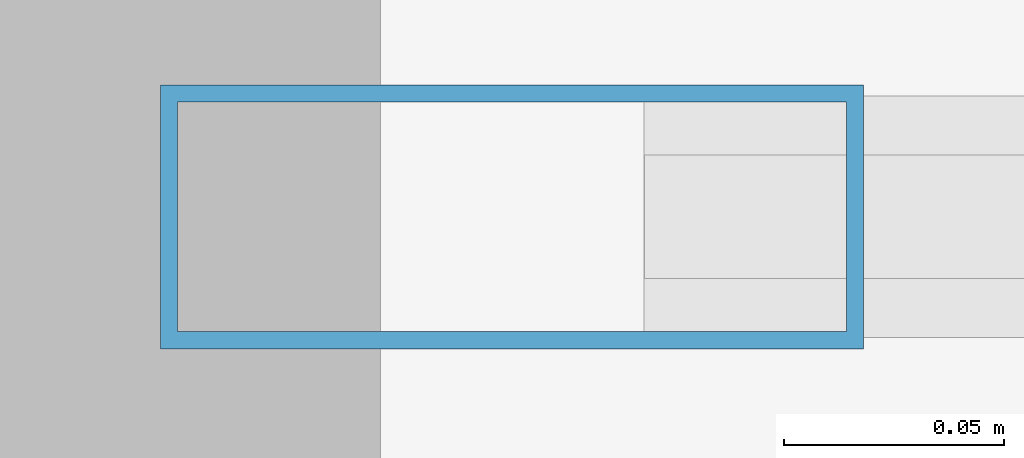
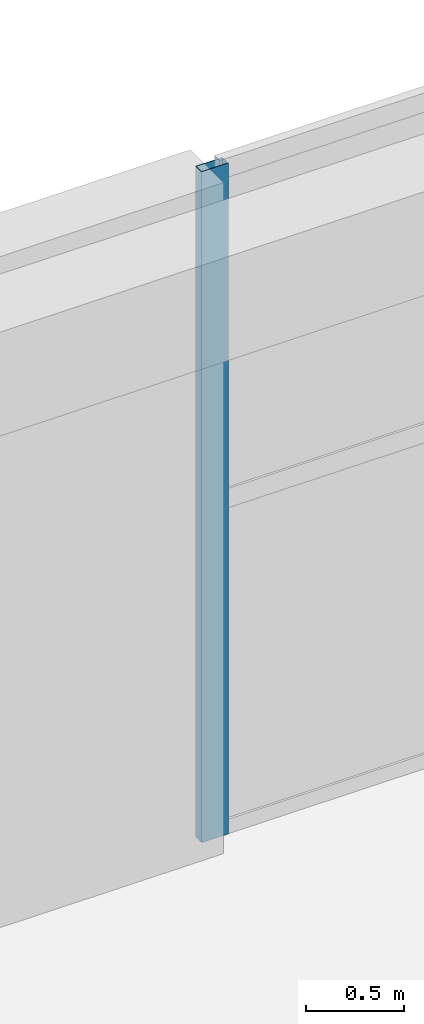
# One storey, part 14 of 26: 1 member, 1 element without a shape of its own.
"""IFC4 building model written with IfcOpenShell, lengths in metres."""

import ifcopenshell
import ifcopenshell.guid

model = None  # the IFC model being written
_history = None  # IfcOwnerHistory: only IFC2X3 demands one
_inside = {}  # id of a spatial element -> (the spatial element, [elements in it])
_under = {}  # id of a project, library or spatial element -> (it, [spatial elements below it])
_declared = {}  # id of a project -> (the project, [libraries it declares])
_typed = {}  # id of a type object -> (the type object, [elements of that type])
_made_of = {}  # id of a material, layer set ... -> (it, [elements and type objects made of it])


def new_model(schema):
    """Start an empty IFC model of exactly this schema.

    Asked for "IFC4X3", IfcOpenShell would pick the latest addendum, in which some entities
    have other attributes; the version numbers below select the first issue.
    IFC2X3 requires an IfcOwnerHistory on every rooted entity: one is made here for all.
    """
    global model, _history
    if schema == "IFC4X3":
        model = ifcopenshell.file(schema_version=(4, 3, 0, 0))
    else:
        model = ifcopenshell.file(schema=schema)
    _inside.clear()
    _under.clear()
    _declared.clear()
    _typed.clear()
    _made_of.clear()
    _history = None
    if model.schema == "IFC2X3":
        org = make("IfcOrganization", Name="unknown")
        user = make(
            "IfcPersonAndOrganization",
            ThePerson=make("IfcPerson", FamilyName="unknown"),
            TheOrganization=org,
        )
        app = make(
            "IfcApplication",
            ApplicationDeveloper=org,
            Version="unknown",
            ApplicationFullName="unknown",
            ApplicationIdentifier="unknown",
        )
        _history = make(
            "IfcOwnerHistory",
            OwningUser=user,
            OwningApplication=app,
            ChangeAction="ADDED",
            CreationDate=0,
        )
    return model


def make(cls, **values):
    """One entity of the class cls with the attributes given. An attribute that is None is left unset."""
    return model.create_entity(
        cls, **{name: value for name, value in values.items() if value is not None}
    )


def rooted(cls, **values):
    """An entity with a GlobalId (a new one), such as an element, a storey or a relation."""
    return make(cls, GlobalId=ifcopenshell.guid.new(), OwnerHistory=_history, **values)


def si_unit(unit_type, name, prefix=None):
    """IfcSIUnit, for example si_unit("LENGTHUNIT", "METRE", prefix="MILLI")."""
    return make("IfcSIUnit", UnitType=unit_type, Prefix=prefix, Name=name)


def assignment(units):
    """IfcUnitAssignment: the units of a project."""
    return None if units is None else make("IfcUnitAssignment", Units=units)


def point(xyz):
    """IfcCartesianPoint."""
    return None if xyz is None else make("IfcCartesianPoint", Coordinates=xyz)


def direction(xyz):
    """IfcDirection."""
    return None if xyz is None else make("IfcDirection", DirectionRatios=xyz)


def frame(location, z_axis=None, x_axis=None):
    """IfcAxis2Placement3D, a coordinate frame: its origin and axes. An axis left out is left unset."""
    return make(
        "IfcAxis2Placement3D",
        Location=point(location),
        Axis=direction(z_axis),
        RefDirection=direction(x_axis),
    )


def frame_2d(location, x_axis=None):
    """IfcAxis2Placement2D, a coordinate frame in the plane: its origin and x axis."""
    return make(
        "IfcAxis2Placement2D", Location=point(location), RefDirection=direction(x_axis)
    )


def origin():
    """The frame at (0, 0, 0) with its axes left unset."""
    return frame((0.0, 0.0, 0.0))


def origin_2d():
    """The frame at (0, 0) in the plane with its x axis left unset."""
    return frame_2d((0.0, 0.0))


def place(relative_to, where):
    """IfcLocalPlacement: puts the frame where relative to a parent placement (None: the world)."""
    return make(
        "IfcLocalPlacement", PlacementRelTo=relative_to, RelativePlacement=where
    )


def context(
    kind, dimensions, precision=None, world=None, true_north=None, identifier=None
):
    """IfcGeometricRepresentationContext, for example the 3D "Model" context."""
    return make(
        "IfcGeometricRepresentationContext",
        ContextIdentifier=identifier,
        ContextType=kind,
        CoordinateSpaceDimension=dimensions,
        Precision=precision,
        WorldCoordinateSystem=world,
        TrueNorth=true_north,
    )


def subcontext(parent, identifier, kind, view, scale=None):
    """IfcGeometricRepresentationSubContext, for example "Body" below "Model"."""
    return make(
        "IfcGeometricRepresentationSubContext",
        ContextIdentifier=identifier,
        ContextType=kind,
        ParentContext=parent,
        TargetScale=scale,
        TargetView=view,
    )


def project(units=None, contexts=None):
    """IfcProject with its units and contexts."""
    return rooted(
        "IfcProject",
        Name="project",
        RepresentationContexts=contexts,
        UnitsInContext=assignment(units),
    )


def spatial(cls, under=None, at=None, **own):
    """A site, building, storey or space (cls), placed at a placement, below another one or the project."""
    s = rooted(cls, ObjectPlacement=at, **own)
    if under is not None:
        _under.setdefault(under.id(), (under, []))[1].append(s)
    return s


def profile(cls, at=None, kind="AREA", **sizes):
    """A parametric profile (cls). Its sizes go by their IFC names, for example OverallWidth=200.0."""
    return make(cls, ProfileType=kind, Position=at, **sizes)


def hollow_rectangle(**sizes):
    """IfcRectangleHollowProfileDef."""
    return profile("IfcRectangleHollowProfileDef", **sizes)


def extrude(swept, where, along, depth):
    """IfcExtrudedAreaSolid: the profile swept, set in the frame where, extruded along a direction by depth."""
    return make(
        "IfcExtrudedAreaSolid",
        SweptArea=swept,
        Position=where,
        ExtrudedDirection=direction(along),
        Depth=depth,
    )


def shape(context_of_items, identifier, shape_type, items):
    """IfcShapeRepresentation: the items that make up one representation, for example the "Body"."""
    return make(
        "IfcShapeRepresentation",
        ContextOfItems=context_of_items,
        RepresentationIdentifier=identifier,
        RepresentationType=shape_type,
        Items=items,
    )


def source(mapping_origin, context_of_items, identifier, shape_type, items):
    """IfcRepresentationMap: a shape defined once, which mapped items show again and again."""
    return make(
        "IfcRepresentationMap",
        MappingOrigin=mapping_origin,
        MappedRepresentation=shape(context_of_items, identifier, shape_type, items),
    )


def transform(
    local_origin,
    x_axis=None,
    y_axis=None,
    z_axis=None,
    scale=None,
    scale2=None,
    scale3=None,
    uniform=True,
):
    """IfcCartesianTransformationOperator3D, or its non-uniform kind. x_axis, y_axis, z_axis: its Axis1, 2, 3."""
    if uniform:
        return make(
            "IfcCartesianTransformationOperator3D",
            Axis1=direction(x_axis),
            Axis2=direction(y_axis),
            LocalOrigin=point(local_origin),
            Scale=scale,
            Axis3=direction(z_axis),
        )
    return make(
        "IfcCartesianTransformationOperator3DnonUniform",
        Axis1=direction(x_axis),
        Axis2=direction(y_axis),
        LocalOrigin=point(local_origin),
        Scale=scale,
        Axis3=direction(z_axis),
        Scale2=scale2,
        Scale3=scale3,
    )


def mapped(mapping_source, mapping_target):
    """IfcMappedItem: shows the shape of a source again, moved by a transform."""
    return make(
        "IfcMappedItem", MappingSource=mapping_source, MappingTarget=mapping_target
    )


def material(Name=None, Category=None):
    """IfcMaterial."""
    return make("IfcMaterial", Name=Name, Category=Category)


def layer(
    of_material, thickness, ventilated=None, Name=None, Category=None, Priority=None
):
    """IfcMaterialLayer: one layer of a wall or slab, of a material (None: an air gap)."""
    return make(
        "IfcMaterialLayer",
        Material=of_material,
        LayerThickness=thickness,
        IsVentilated=ventilated,
        Name=Name,
        Category=Category,
        Priority=Priority,
    )


def layer_set(layers, Name=None):
    """IfcMaterialLayerSet."""
    return make("IfcMaterialLayerSet", MaterialLayers=layers, LayerSetName=Name)


def material_profile(
    of_material, cross_section, Name=None, Category=None, Priority=None
):
    """IfcMaterialProfile: a cross section and its material."""
    return make(
        "IfcMaterialProfile",
        Name=Name,
        Material=of_material,
        Profile=cross_section,
        Priority=Priority,
        Category=Category,
    )


def profile_set(profiles, Name=None, composite=None):
    """IfcMaterialProfileSet."""
    return make(
        "IfcMaterialProfileSet",
        Name=Name,
        MaterialProfiles=profiles,
        CompositeProfile=composite,
    )


def made_of(thing, what):
    """Note that an element or type object is made of a material, layer set ...; save() writes the relation."""
    if what is not None:
        _made_of.setdefault(what.id(), (what, []))[1].append(thing)
    return thing


def type_object(cls, material=None, **own):
    """A type object (cls), such as IfcWallType, which elements share."""
    return made_of(rooted(cls, **own), material)


def element(
    cls,
    number,
    at=None,
    inside=None,
    cuts=None,
    type_object=None,
    material=None,
    context=None,
    identifier="Body",
    shape_type=None,
    held_by="IfcProductDefinitionShape",
    body=None,
    shapes=None,
    **own,
):
    """One element of the class cls, such as IfcWall. Its Tag is "e" and its number.

    at: its placement. inside: the storey or other place that contains it. cuts: it is an
    opening in that element (IfcRelVoidsElement). A single representation is given by context,
    identifier, shape_type and body (its items); several are given by shapes. held_by: the class
    of the entity that holds the representations. save() writes the other relations.
    """
    e = rooted(cls, Tag="e%d" % number, ObjectPlacement=at, **own)
    if body is not None:
        shapes = [shape(context, identifier, shape_type, body)]
    if shapes is not None:
        e.Representation = make(held_by, Representations=shapes)
    if inside is not None:
        _inside.setdefault(inside.id(), (inside, []))[1].append(e)
    if cuts is not None:
        rooted(
            "IfcRelVoidsElement", RelatingBuildingElement=cuts, RelatedOpeningElement=e
        )
    if type_object is not None:
        _typed.setdefault(type_object.id(), (type_object, []))[1].append(e)
    return made_of(e, material)


def aggregate(whole, parts):
    """IfcRelAggregates: a whole, such as a stair, and the parts it consists of."""
    return rooted("IfcRelAggregates", RelatingObject=whole, RelatedObjects=parts)


def save(model, path):
    """Write the relations noted so far, then the file.

    IfcRelAggregates (storeys below a building ...), IfcRelContainedInSpatialStructure (elements
    in a storey), IfcRelDefinesByType, IfcRelAssociatesMaterial and IfcRelDeclares: one each for
    every whole, place, type object, material and project.
    """
    for whole, parts in _under.values():
        aggregate(whole, parts)
    for where, things in _inside.values():
        rooted(
            "IfcRelContainedInSpatialStructure",
            RelatedElements=things,
            RelatingStructure=where,
        )
    for kind, things in _typed.values():
        rooted("IfcRelDefinesByType", RelatedObjects=things, RelatingType=kind)
    for what, things in _made_of.values():
        rooted("IfcRelAssociatesMaterial", RelatedObjects=things, RelatingMaterial=what)
    for by, libraries in _declared.values():
        rooted("IfcRelDeclares", RelatingContext=by, RelatedDefinitions=libraries)
    model.write(path)


model = new_model("IFC4")

# Units and contexts
model_context = context("Model", 3, precision=1e-05, world=origin(), true_north=direction((0.0, 1.0)))
body_context = subcontext(model_context, "Body", "Model", "MODEL_VIEW")
ifc_project = project(units=[si_unit("LENGTHUNIT", "METRE"), si_unit("AREAUNIT", "SQUARE_METRE"), si_unit("VOLUMEUNIT", "CUBIC_METRE"), si_unit("PLANEANGLEUNIT", "RADIAN"), si_unit("MASSUNIT", "GRAM", prefix="KILO")], contexts=[model_context])

# Site, building, storey
site_placement = place(None, origin())
site = spatial("IfcSite", under=ifc_project, at=site_placement, CompositionType="ELEMENT")
building_placement = place(site_placement, origin())
building = spatial("IfcBuilding", under=site, at=building_placement, Name="Khoralis Quay Care Tower", CompositionType="ELEMENT")
storey_placement = place(building_placement, frame((0.0, 0.0, 13.5)))
storey = spatial("IfcBuildingStorey", under=building, at=storey_placement, Name="L03", CompositionType="ELEMENT", Elevation=13.5)

# Curtain wall, member
ifc_material = material(Name="Pale anodised aluminium", Category="aluminium")
ifc_layer = layer(ifc_material, 0.14990234375)
ifc_layer_set = layer_set([ifc_layer], Name="Pale anodised aluminium")
curtain_wall_type = type_object("IfcCurtainWallType", Name="CW-SYS-SCHOOL", PredefinedType="NOTDEFINED", material=ifc_layer_set)
curtain_wall_placement = place(storey_placement, origin())
curtain_wall = element("IfcCurtainWall", 1, at=curtain_wall_placement, inside=storey, type_object=curtain_wall_type, Name="L03 Unitised Curtain Wall CW-SCH-L03-E3", PredefinedType="NOTDEFINED")
ifc_material_profile = material_profile(ifc_material, hollow_rectangle(XDim=0.06005859375, YDim=0.159912109375, WallThickness=0.00390625, at=origin_2d()), Name="Pale anodised aluminium")
ifc_profile_set = profile_set([ifc_material_profile], Name="Pale anodised aluminium")
member_type = type_object("IfcMemberType", Name="CW-MUL-160", PredefinedType="MULLION", material=ifc_profile_set)
shared_shape = source(origin(), body_context, "Body", "SweptSolid", [
    extrude(hollow_rectangle(XDim=0.06005859375, YDim=0.159912109375, WallThickness=0.00390625, at=origin_2d()), origin(), (0.0, 0.0, 1.0), 4.199951171875),
])
member_placement = place(storey_placement, frame((80.097900390625, 41.830078125, 0.0), z_axis=(0.0, 0.0, 1.0), x_axis=(0.0, -1.0, 0.0)))
member = element("IfcMember", 2, at=member_placement, type_object=member_type, Name="CW6 mullion 4", PredefinedType="MULLION", context=body_context, shape_type="MappedRepresentation", body=[
    mapped(shared_shape, transform((0.0, 0.0, 0.0), scale=1.0)),
])
aggregate(curtain_wall, [member])

save(model, "model.ifc")
